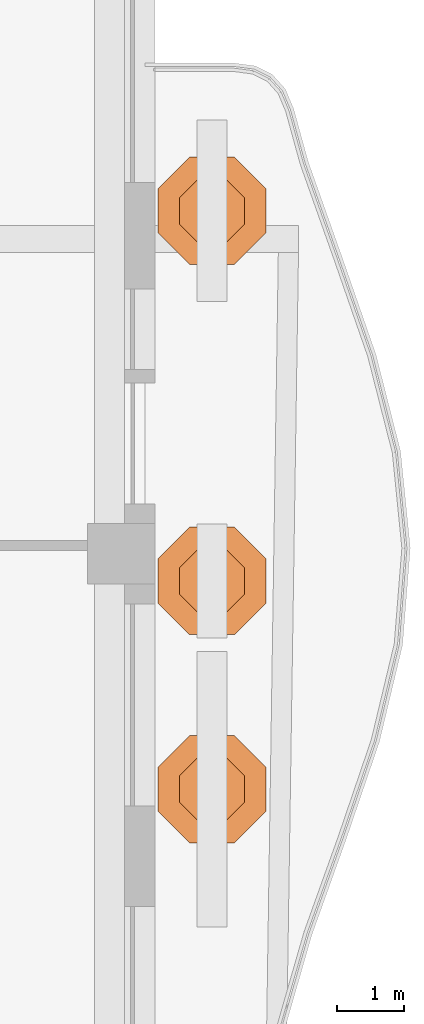
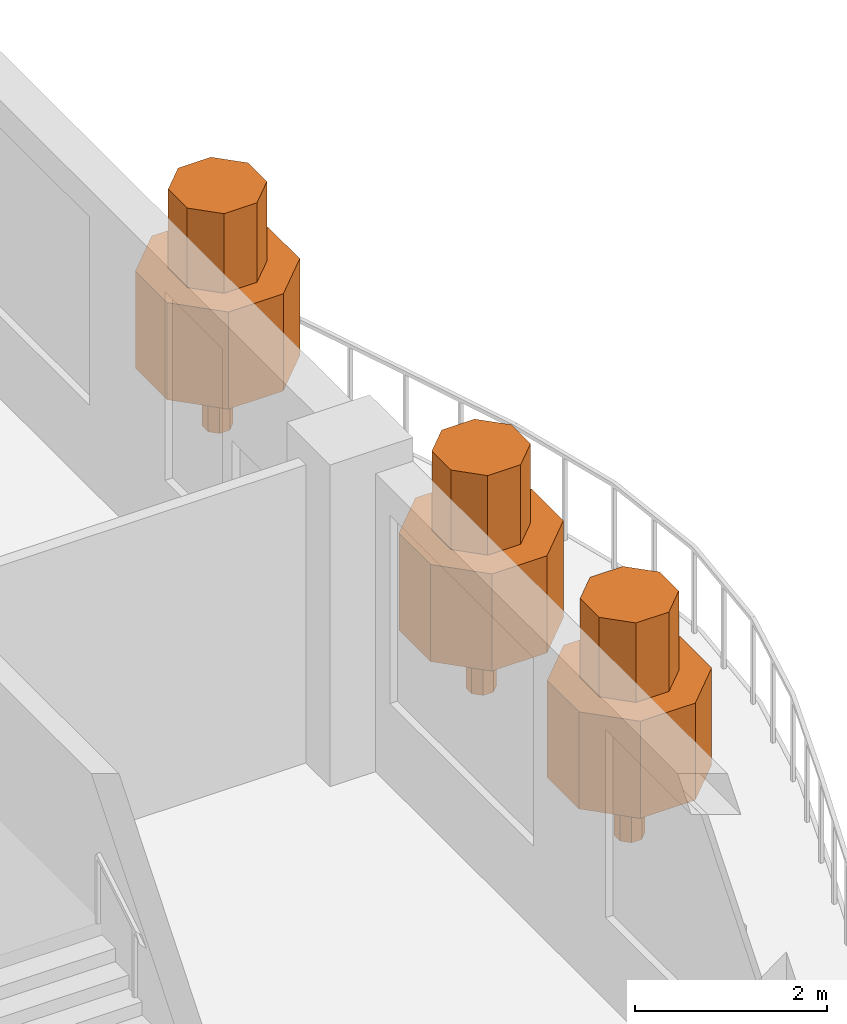
# One storey, part 14 of 14: 3 geographic elements.
"""IFC4 building model written with IfcOpenShell, lengths in metres."""

from ifc_helpers import new_model, si_unit, direction, frame, origin, place, context, subcontext, project, spatial, polyline, outline, extrude, material, type_object, element, save


model = new_model("IFC4")

# Units and contexts
model_context = context("Model", 3, precision=1e-05, world=origin(), true_north=direction((0.0, 1.0)))
body_context = subcontext(model_context, "Body", "Model", "MODEL_VIEW")
ifc_project = project(units=[si_unit("LENGTHUNIT", "METRE"), si_unit("AREAUNIT", "SQUARE_METRE"), si_unit("VOLUMEUNIT", "CUBIC_METRE"), si_unit("PLANEANGLEUNIT", "RADIAN"), si_unit("MASSUNIT", "GRAM", prefix="KILO")], contexts=[model_context])

# Site, building, storey
site_placement = place(None, origin())
site = spatial("IfcSite", under=ifc_project, at=site_placement, CompositionType="ELEMENT")
building_placement = place(site_placement, origin())
building = spatial("IfcBuilding", under=site, at=building_placement, Name="Cypress Arch Tower", CompositionType="ELEMENT")
storey_placement = place(building_placement, frame((0.0, 0.0, 276.199951171875)))
storey = spatial("IfcBuildingStorey", under=building, at=storey_placement, Name="L62", CompositionType="ELEMENT", Elevation=276.199951171875)

# Geographic elements
ifc_material = material(Name="Foliage and planting")
geographic_element_type = type_object("IfcGeographicElementType", Name="Balcony tree TR", PredefinedType="USERDEFINED", material=ifc_material)
for number, where, z_axis, x_axis, name in (
    (1, (25.60009765625, 1.0, 0.60009765625), (0.0, 0.0, 1.0), (1.0, 0.0, 0.0), "Balcony tree L62-C17.1"),
    (2, (25.60009765625, 4.095703125, 0.60009765625), (0.0, 0.0, 1.0), (1.0, 0.0, 0.0), "Balcony tree L62-C17.2"),
    (3, (25.60009765625, 9.60009765625, 0.60009765625), (0.0, 0.0, 1.0), (1.0, 0.0, 0.0), "Balcony tree L62-C17.3"),
):
    element("IfcGeographicElement", number, at=place(storey_placement, frame(where, z_axis=z_axis, x_axis=x_axis)), inside=storey, type_object=geographic_element_type, Name=name, ObjectType="TREE", PredefinedType="USERDEFINED", context=body_context, shape_type="SweptSolid", body=[
        extrude(outline(polyline([(0.14990234375, 0.06201171875), (0.06201171875, 0.14990234375), (-0.06201171875, 0.14990234375), (-0.14990234375, 0.06201171875), (-0.14990234375, -0.06201171875), (-0.06201171875, -0.14990234375), (0.06201171875, -0.14990234375), (0.14990234375, -0.06201171875), (0.14990234375, 0.06201171875)])), origin(), (0.0, 0.0, 1.0), 0.89990234375),
        extrude(outline(polyline([(0.800048828125, 0.331298828125), (0.331298828125, 0.800048828125), (-0.331298828125, 0.800048828125), (-0.800048828125, 0.331298828125), (-0.800048828125, -0.331298828125), (-0.331298828125, -0.800048828125), (0.331298828125, -0.800048828125), (0.800048828125, -0.331298828125), (0.800048828125, 0.331298828125)])), frame((0.0, 0.0, 0.800048828125)), (0.0, 0.0, 1.0), 1.237548828125),
        extrude(outline(polyline([(0.47998046875, 0.19873046875), (0.19873046875, 0.47998046875), (-0.19873046875, 0.47998046875), (-0.47998046875, 0.19873046875), (-0.47998046875, -0.19873046875), (-0.19873046875, -0.47998046875), (0.19873046875, -0.47998046875), (0.47998046875, -0.19873046875), (0.47998046875, 0.19873046875)])), frame((0.0, 0.0, 2.03759765625)), (0.0, 0.0, 1.0), 1.012451171875),
    ])

save(model, "model.ifc")
